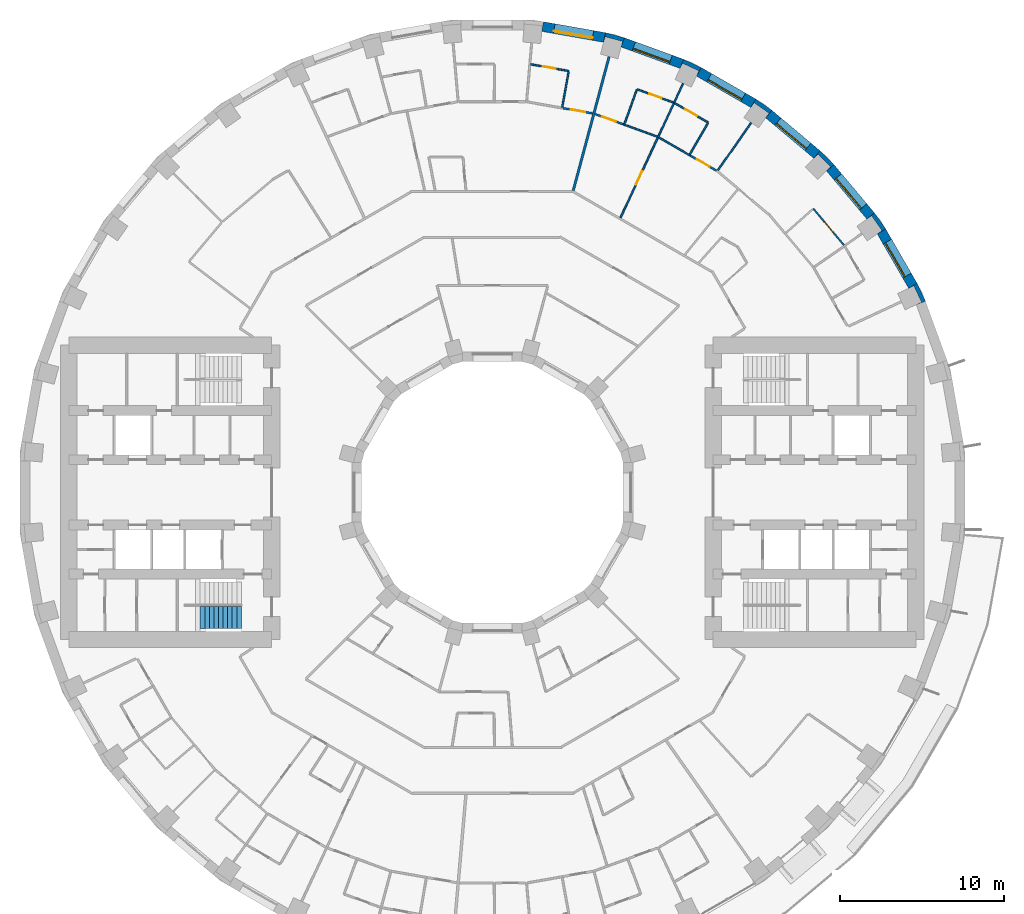
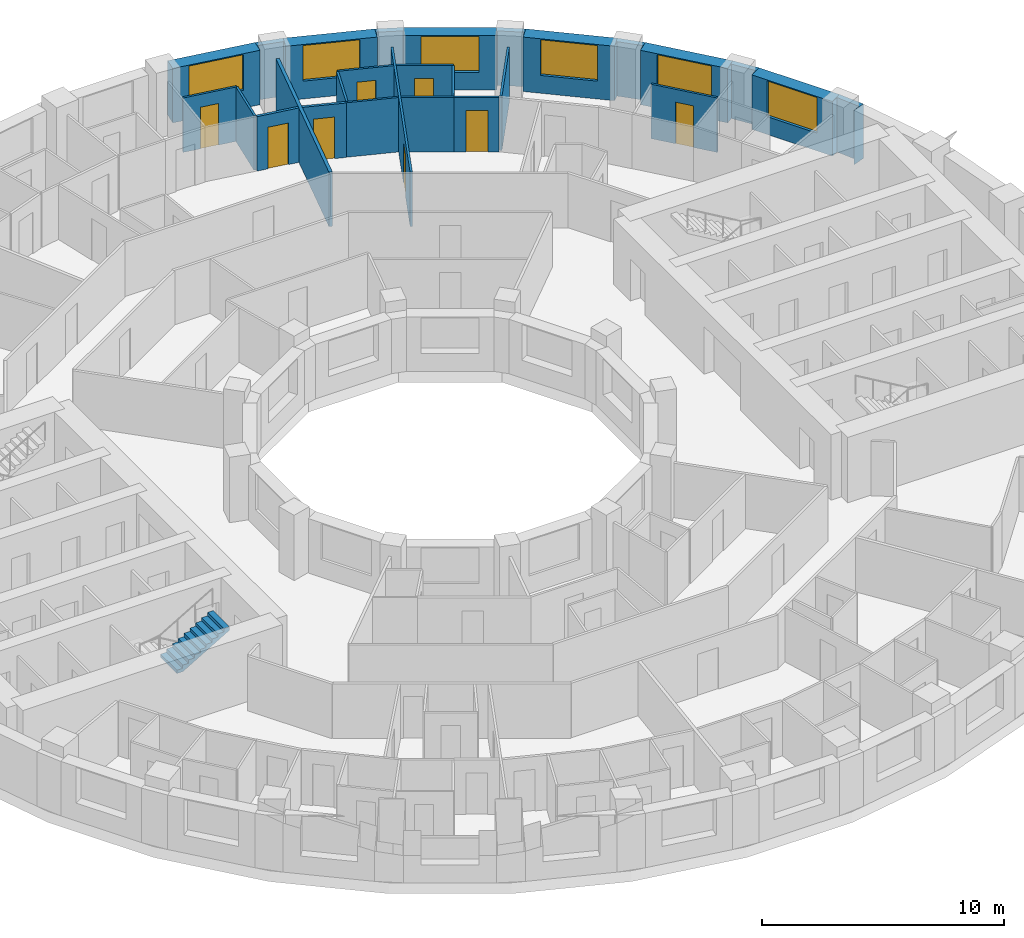
# One storey, part 13 of 15: 27 walls, 8 doors, 6 windows, 1 stair flight, 14 openings, 1 element without a shape of its own.
"""IFC4 building model written with IfcOpenShell, lengths in metres."""

from ifc_helpers import new_model, si_unit, direction, frame, frame_2d, origin, place, context, subcontext, project, spatial, polyline, rectangle, outline, extrude, material, layer, layer_set, type_object, element, fill, aggregate, save


model = new_model("IFC4")

# Units and contexts
model_context = context("Model", 3, precision=1e-05, world=origin(), true_north=direction((0.0, 1.0)))
body_context = subcontext(model_context, "Body", "Model", "MODEL_VIEW")
ifc_project = project(units=[si_unit("LENGTHUNIT", "METRE"), si_unit("AREAUNIT", "SQUARE_METRE"), si_unit("VOLUMEUNIT", "CUBIC_METRE"), si_unit("PLANEANGLEUNIT", "RADIAN"), si_unit("MASSUNIT", "GRAM", prefix="KILO")], contexts=[model_context])

# Site, building, storey
site_placement = place(None, origin())
site = spatial("IfcSite", under=ifc_project, at=site_placement, CompositionType="ELEMENT")
building_placement = place(site_placement, origin())
building = spatial("IfcBuilding", under=site, at=building_placement, Name="Saqina Gate Tower", CompositionType="ELEMENT")
storey_placement = place(building_placement, frame((0.0, 0.0, 42.800048828125)))
storey = spatial("IfcBuildingStorey", under=building, at=storey_placement, Name="L11", CompositionType="ELEMENT", Elevation=42.800048828125)

# Walls
ifc_material_1 = material(Name="Brick masonry (red)", Category="masonry")
wall_type_1 = type_object("IfcWallType", Name="BRICK PIER COPING RED", PredefinedType="SOLIDWALL", material=ifc_material_1)
wall_1_placement = place(storey_placement, origin())
element("IfcWall", 1, at=wall_1_placement, inside=storey, type_object=wall_type_1, Name="Pier cap L11 column 3", PredefinedType="SOLIDWALL", context=body_context, shape_type="SweptSolid", body=[
    extrude(outline(polyline([(25.980712890625, 12.779541015625), (25.4609375, 12.4794921875), (25.778564453125, 12.627685546875), (26.243408203125, 11.630615234375), (25.92578125, 11.482666015625), (26.48974609375, 11.687744140625), (25.980712890625, 12.779541015625)])), origin(), (0.0, 0.0, 1.0), 2.75),
])
wall_2_placement = place(storey_placement, origin())
element("IfcWall", 2, at=wall_2_placement, inside=storey, type_object=wall_type_1, Name="Pier cap L11 column 4", PredefinedType="SOLIDWALL", context=body_context, shape_type="SweptSolid", body=[
    extrude(outline(polyline([(24.0576171875, 16.110107421875), (23.36669921875, 17.096923828125), (22.9072265625, 16.711181640625), (23.194091796875, 16.912109375), (23.8251953125, 16.010986328125), (23.5380859375, 15.81005859375), (24.0576171875, 16.110107421875)])), origin(), (0.0, 0.0, 1.0), 2.75),
])
wall_3_placement = place(storey_placement, origin())
element("IfcWall", 3, at=wall_3_placement, inside=storey, type_object=wall_type_1, Name="Pier cap L11 column 5", PredefinedType="SOLIDWALL", context=body_context, shape_type="SweptSolid", body=[
    extrude(outline(polyline([(20.04296875, 20.894775390625), (19.6572265625, 20.43505859375), (19.905029296875, 20.682861328125), (20.682861328125, 19.905029296875), (20.43505859375, 19.6572265625), (20.894775390625, 20.04296875), (20.04296875, 20.894775390625)])), origin(), (0.0, 0.0, 1.0), 2.75),
])
wall_4_placement = place(storey_placement, origin())
element("IfcWall", 4, at=wall_4_placement, inside=storey, type_object=wall_type_1, Name="Pier cap L11 column 6", PredefinedType="SOLIDWALL", context=body_context, shape_type="SweptSolid", body=[
    extrude(outline(polyline([(17.096923828125, 23.36669921875), (16.110107421875, 24.0576171875), (15.81005859375, 23.5380859375), (16.010986328125, 23.8251953125), (16.912109375, 23.194091796875), (16.711181640625, 22.9072265625), (17.096923828125, 23.36669921875)])), origin(), (0.0, 0.0, 1.0), 2.75),
])
wall_5_placement = place(storey_placement, origin())
element("IfcWall", 5, at=wall_5_placement, inside=storey, type_object=wall_type_1, Name="Pier cap L11 column 7", PredefinedType="SOLIDWALL", context=body_context, shape_type="SweptSolid", body=[
    extrude(outline(polyline([(11.687744140625, 26.48974609375), (11.482666015625, 25.92578125), (11.630615234375, 26.243408203125), (12.627685546875, 25.778564453125), (12.4794921875, 25.4609375), (12.779541015625, 25.980712890625), (11.687744140625, 26.48974609375)])), origin(), (0.0, 0.0, 1.0), 2.75),
])
wall_6_placement = place(storey_placement, origin())
element("IfcWall", 6, at=wall_6_placement, inside=storey, type_object=wall_type_1, Name="Pier cap L11 column 8", PredefinedType="SOLIDWALL", context=body_context, shape_type="SweptSolid", body=[
    extrude(outline(polyline([(6.910400390625, 28.11669921875), (6.80615234375, 27.52587890625), (6.896728515625, 27.864501953125), (7.95947265625, 27.57958984375), (7.86865234375, 27.2412109375), (8.073974609375, 27.80517578125), (6.910400390625, 28.11669921875)])), origin(), (0.0, 0.0, 1.0), 2.75),
])

# Wall, opening, window
ifc_material_2 = material(Name="Brick masonry (red)", Category="masonry")
ifc_layer_1 = layer(ifc_material_2, 0.60009765625)
ifc_layer_set_1 = layer_set([ifc_layer_1], Name="FW-BRICK-RED")
wall_type_2 = type_object("IfcWallType", Name="FW-BRICK-RED", PredefinedType="SOLIDWALL", material=ifc_layer_set_1)
wall_7_placement = place(storey_placement, frame((25.720703125, 12.629638671875, 0.0), z_axis=(0.0, 0.0, 1.0), x_axis=(-0.499989888488, 0.86603124159, 0.0)))
wall_7 = element("IfcWall", 7, at=wall_7_placement, inside=storey, type_object=wall_type_2, Name="Facade wall L11 facet 3", PredefinedType="SOLIDWALL", context=body_context, shape_type="SweptSolid", body=[
    extrude(rectangle(XDim=3.845703125, YDim=0.60009765625, at=frame_2d((1.9228515625, 0.0))), origin(), (0.0, 0.0, 1.0), 2.75),
])
opening_1_placement = place(wall_7_placement, frame((0.722900390625, 0.0, 0.89990234375)))
opening_1 = element("IfcOpeningElement", 8, at=opening_1_placement, cuts=wall_7, Name="Opening G02-W01", PredefinedType="OPENING", context=body_context, shape_type="SweptSolid", body=[
    extrude(rectangle(XDim=2.39990234375, YDim=1.800048828125, at=frame_2d((1.199951171875, 0.89990234375))), frame((0.0, 0.31201171875, 0.0), z_axis=(0.0, -1.0, 0.0), x_axis=(1.0, 0.0, 0.0)), (0.0, 0.0, 1.0), 0.6240234375),
])
ifc_material_3 = material(Name="Aluminium glazing", Category="aluminium")
window_type = type_object("IfcWindowType", Name="WN-A", PartitioningType="SINGLE_PANEL", PredefinedType="WINDOW", material=ifc_material_3)
window_1_placement = place(opening_1_placement, origin())
window_1 = element("IfcWindow", 9, at=window_1_placement, inside=storey, type_object=window_type, Name="Window L11 facet 3", OverallHeight=1.800048828125, OverallWidth=2.39990234375, PartitioningType="SINGLE_PANEL", PredefinedType="WINDOW", context=body_context, shape_type="SweptSolid", body=[
    extrude(rectangle(XDim=2.39990234375, YDim=1.800048828125, at=frame_2d((1.199951171875, 0.89990234375))), frame((0.0, 0.179931640625, 0.0), z_axis=(0.0, -1.0, 0.0), x_axis=(1.0, 0.0, 0.0)), (0.0, 0.0, 1.0), 0.06005859375),
])
fill(opening_1, window_1)

wall_8_placement = place(storey_placement, frame((23.136962890625, 16.904052734375, 0.0), z_axis=(0.0, 0.0, 1.0), x_axis=(-0.642809392687, 0.766026164483, 0.0)))
wall_8 = element("IfcWall", 10, at=wall_8_placement, inside=storey, type_object=wall_type_2, Name="Facade wall L11 facet 4", PredefinedType="SOLIDWALL", context=body_context, shape_type="SweptSolid", body=[
    extrude(rectangle(XDim=3.845947265625, YDim=0.60009765625, at=frame_2d((1.9228515625, 0.0))), origin(), (0.0, 0.0, 1.0), 2.75),
])
opening_2_placement = place(wall_8_placement, frame((0.722900390625, 0.0, 0.89990234375)))
opening_2 = element("IfcOpeningElement", 11, at=opening_2_placement, cuts=wall_8, Name="Opening G02-W02", PredefinedType="OPENING", context=body_context, shape_type="SweptSolid", body=[
    extrude(rectangle(XDim=2.39990234375, YDim=1.800048828125, at=frame_2d((1.199951171875, 0.89990234375))), frame((0.0, 0.31201171875, 0.0), z_axis=(0.0, -1.0, 0.0), x_axis=(1.0, 0.0, 0.0)), (0.0, 0.0, 1.0), 0.6240234375),
])
window_2_placement = place(opening_2_placement, origin())
window_2 = element("IfcWindow", 12, at=window_2_placement, inside=storey, type_object=window_type, Name="Window L11 facet 4", OverallHeight=1.800048828125, OverallWidth=2.39990234375, PartitioningType="SINGLE_PANEL", PredefinedType="WINDOW", context=body_context, shape_type="SweptSolid", body=[
    extrude(rectangle(XDim=2.39990234375, YDim=1.800048828125, at=frame_2d((1.199951171875, 0.89990234375))), frame((0.0, 0.179931640625, 0.0), z_axis=(0.0, -1.0, 0.0), x_axis=(1.0, 0.0, 0.0)), (0.0, 0.0, 1.0), 0.06005859375),
])
fill(opening_2, window_2)

wall_9_placement = place(storey_placement, frame((19.85009765625, 20.664794921875, 0.0), z_axis=(0.0, 0.0, 1.0), x_axis=(-0.766026164483, 0.642809392687, 0.0)))
wall_9 = element("IfcWall", 13, at=wall_9_placement, inside=storey, type_object=wall_type_2, Name="Facade wall L11 facet 5", PredefinedType="SOLIDWALL", context=body_context, shape_type="SweptSolid", body=[
    extrude(rectangle(XDim=3.845947265625, YDim=0.60009765625, at=frame_2d((1.9228515625, 0.0))), origin(), (0.0, 0.0, 1.0), 2.75),
])
opening_3_placement = place(wall_9_placement, frame((0.722900390625, 0.0, 0.89990234375)))
opening_3 = element("IfcOpeningElement", 14, at=opening_3_placement, cuts=wall_9, Name="Opening G02-W03", PredefinedType="OPENING", context=body_context, shape_type="SweptSolid", body=[
    extrude(rectangle(XDim=2.39990234375, YDim=1.800048828125, at=frame_2d((1.199951171875, 0.89990234375))), frame((0.0, 0.31201171875, 0.0), z_axis=(0.0, -1.0, 0.0), x_axis=(1.0, 0.0, 0.0)), (0.0, 0.0, 1.0), 0.6240234375),
])
window_3_placement = place(opening_3_placement, origin())
window_3 = element("IfcWindow", 15, at=window_3_placement, inside=storey, type_object=window_type, Name="Window L11 facet 5", OverallHeight=1.800048828125, OverallWidth=2.39990234375, PartitioningType="SINGLE_PANEL", PredefinedType="WINDOW", context=body_context, shape_type="SweptSolid", body=[
    extrude(rectangle(XDim=2.39990234375, YDim=1.800048828125, at=frame_2d((1.199951171875, 0.89990234375))), frame((0.0, 0.179931640625, 0.0), z_axis=(0.0, -1.0, 0.0), x_axis=(1.0, 0.0, 0.0)), (0.0, 0.0, 1.0), 0.06005859375),
])
fill(opening_3, window_3)

wall_10_placement = place(storey_placement, frame((15.960205078125, 23.7978515625, 0.0), z_axis=(0.0, 0.0, 1.0), x_axis=(-0.86603124159, 0.499989888488, 0.0)))
wall_10 = element("IfcWall", 16, at=wall_10_placement, inside=storey, type_object=wall_type_2, Name="Facade wall L11 facet 6", PredefinedType="SOLIDWALL", context=body_context, shape_type="SweptSolid", body=[
    extrude(rectangle(XDim=3.845703125, YDim=0.60009765625, at=frame_2d((1.9228515625, 0.0))), origin(), (0.0, 0.0, 1.0), 2.75),
])
opening_4_placement = place(wall_10_placement, frame((0.722900390625, 0.0, 0.89990234375)))
opening_4 = element("IfcOpeningElement", 17, at=opening_4_placement, cuts=wall_10, Name="Opening G02-W04", PredefinedType="OPENING", context=body_context, shape_type="SweptSolid", body=[
    extrude(rectangle(XDim=2.39990234375, YDim=1.800048828125, at=frame_2d((1.199951171875, 0.89990234375))), frame((0.0, 0.31201171875, 0.0), z_axis=(0.0, -1.0, 0.0), x_axis=(1.0, 0.0, 0.0)), (0.0, 0.0, 1.0), 0.6240234375),
])
window_4_placement = place(opening_4_placement, origin())
window_4 = element("IfcWindow", 18, at=window_4_placement, inside=storey, type_object=window_type, Name="Window L11 facet 6", OverallHeight=1.800048828125, OverallWidth=2.39990234375, PartitioningType="SINGLE_PANEL", PredefinedType="WINDOW", context=body_context, shape_type="SweptSolid", body=[
    extrude(rectangle(XDim=2.39990234375, YDim=1.800048828125, at=frame_2d((1.199951171875, 0.89990234375))), frame((0.0, 0.179931640625, 0.0), z_axis=(0.0, -1.0, 0.0), x_axis=(1.0, 0.0, 0.0)), (0.0, 0.0, 1.0), 0.06005859375),
])
fill(opening_4, window_4)

wall_11_placement = place(storey_placement, frame((11.585205078125, 26.207763671875, 0.0), z_axis=(0.0, 0.0, 1.0), x_axis=(-0.939689588564, 0.342028474173, 0.0)))
wall_11 = element("IfcWall", 19, at=wall_11_placement, inside=storey, type_object=wall_type_2, Name="Facade wall L11 facet 7", PredefinedType="SOLIDWALL", context=body_context, shape_type="SweptSolid", body=[
    extrude(rectangle(XDim=3.845947265625, YDim=0.60009765625, at=frame_2d((1.9228515625, 0.0))), origin(), (0.0, 0.0, 1.0), 2.75),
])
opening_5_placement = place(wall_11_placement, frame((0.722900390625, 0.0, 0.89990234375)))
opening_5 = element("IfcOpeningElement", 20, at=opening_5_placement, cuts=wall_11, Name="Opening G02-W05", PredefinedType="OPENING", context=body_context, shape_type="SweptSolid", body=[
    extrude(rectangle(XDim=2.39990234375, YDim=1.800048828125, at=frame_2d((1.199951171875, 0.89990234375))), frame((0.0, 0.31201171875, 0.0), z_axis=(0.0, -1.0, 0.0), x_axis=(1.0, 0.0, 0.0)), (0.0, 0.0, 1.0), 0.6240234375),
])
window_5_placement = place(opening_5_placement, origin())
window_5 = element("IfcWindow", 21, at=window_5_placement, inside=storey, type_object=window_type, Name="Window L11 facet 7", OverallHeight=1.800048828125, OverallWidth=2.39990234375, PartitioningType="SINGLE_PANEL", PredefinedType="WINDOW", context=body_context, shape_type="SweptSolid", body=[
    extrude(rectangle(XDim=2.39990234375, YDim=1.800048828125, at=frame_2d((1.199951171875, 0.89990234375))), frame((0.0, 0.179931640625, 0.0), z_axis=(0.0, -1.0, 0.0), x_axis=(1.0, 0.0, 0.0)), (0.0, 0.0, 1.0), 0.06005859375),
])
fill(opening_5, window_5)

wall_12_placement = place(storey_placement, frame((6.858154296875, 27.8212890625, 0.0), z_axis=(0.0, 0.0, 1.0), x_axis=(-0.984800809218, 0.173687553279, 0.0)))
wall_12 = element("IfcWall", 22, at=wall_12_placement, inside=storey, type_object=wall_type_2, Name="Facade wall L11 facet 8", PredefinedType="SOLIDWALL", context=body_context, shape_type="SweptSolid", body=[
    extrude(rectangle(XDim=3.845703125, YDim=0.60009765625, at=frame_2d((1.9228515625, 0.0))), origin(), (0.0, 0.0, 1.0), 2.75),
])
opening_6_placement = place(wall_12_placement, frame((0.722900390625, 0.0, 0.89990234375)))
opening_6 = element("IfcOpeningElement", 23, at=opening_6_placement, cuts=wall_12, Name="Opening G02-W06", PredefinedType="OPENING", context=body_context, shape_type="SweptSolid", body=[
    extrude(rectangle(XDim=2.39990234375, YDim=1.800048828125, at=frame_2d((1.199951171875, 0.89990234375))), frame((0.0, 0.31201171875, 0.0), z_axis=(0.0, -1.0, 0.0), x_axis=(1.0, 0.0, 0.0)), (0.0, 0.0, 1.0), 0.6240234375),
])
window_6_placement = place(opening_6_placement, origin())
window_6 = element("IfcWindow", 24, at=window_6_placement, inside=storey, type_object=window_type, Name="Window L11 facet 8", OverallHeight=1.800048828125, OverallWidth=2.39990234375, PartitioningType="SINGLE_PANEL", PredefinedType="WINDOW", context=body_context, shape_type="SweptSolid", body=[
    extrude(rectangle(XDim=2.39990234375, YDim=1.800048828125, at=frame_2d((1.199951171875, 0.89990234375))), frame((0.0, 0.179931640625, 0.0), z_axis=(0.0, -1.0, 0.0), x_axis=(1.0, 0.0, 0.0)), (0.0, 0.0, 1.0), 0.06005859375),
])
fill(opening_6, window_6)

# Wall, opening, door
ifc_material_4 = material(Name="Gypsum board on steel studs, 100 mm", Category="steel")
ifc_layer_2 = layer(ifc_material_4, 0.10009765625)
ifc_layer_set_2 = layer_set([ifc_layer_2], Name="PARTITION 100")
wall_type_3 = type_object("IfcWallType", Name="PARTITION 100", PredefinedType="PARTITIONING", material=ifc_layer_set_2)
wall_13_placement = place(storey_placement, frame((19.62890625, 17.35107421875, 0.0), z_axis=(0.0, 0.0, 1.0), x_axis=(0.642701049916, -0.766117067057, 0.0)))
wall_13 = element("IfcWall", 25, at=wall_13_placement, inside=storey, type_object=wall_type_3, Name="PARTITION PW3-33", PredefinedType="PARTITIONING", context=body_context, shape_type="SweptSolid", body=[
    extrude(rectangle(XDim=2.915771484375, YDim=0.10009765625, at=frame_2d((1.4580078125, 0.0))), origin(), (0.0, 0.0, 1.0), 2.75),
])
opening_7_placement = place(wall_13_placement, frame((1.082763671875, 0.0, 0.0)))
opening_7 = element("IfcOpeningElement", 26, at=opening_7_placement, cuts=wall_13, Name="Opening G02-D04", PredefinedType="OPENING", context=body_context, shape_type="SweptSolid", body=[
    extrude(rectangle(XDim=0.800048828125, YDim=2.10009765625, at=frame_2d((0.39990234375, 1.050048828125))), frame((0.0, 0.06201171875, 0.0), z_axis=(0.0, -1.0, 0.0), x_axis=(1.0, 0.0, 0.0)), (0.0, 0.0, 1.0), 0.1240234375),
])
ifc_material_5 = material(Name="Timber door leaf, 800 mm", Category="wood")
door_type_1 = type_object("IfcDoorType", Name="DOOR 800 TIMBER", OperationType="SINGLE_SWING_LEFT", PredefinedType="DOOR", material=ifc_material_5)
door_1_placement = place(opening_7_placement, origin())
door_1 = element("IfcDoor", 27, at=door_1_placement, inside=storey, type_object=door_type_1, Name="DOOR G02-D04", OperationType="SINGLE_SWING_RIGHT", OverallHeight=2.10009765625, OverallWidth=0.800048828125, PredefinedType="DOOR", context=body_context, shape_type="SweptSolid", body=[
    extrude(rectangle(XDim=0.800048828125, YDim=2.10009765625, at=frame_2d((0.39990234375, 1.050048828125))), frame((0.0, 0.02490234375, 0.0), z_axis=(0.0, -1.0, 0.0), x_axis=(1.0, 0.0, 0.0)), (0.0, 0.0, 1.0), 0.050048828125),
])
fill(opening_7, door_1)

# Wall
wall_14_placement = place(storey_placement, frame((10.17822265625, 21.708984375, 0.0), z_axis=(0.0, 0.0, 1.0), x_axis=(0.865986508459, -0.50006736263, 0.0)))
element("IfcWall", 28, at=wall_14_placement, inside=storey, type_object=wall_type_3, Name="PARTITION PW3-47", PredefinedType="PARTITIONING", context=body_context, shape_type="SweptSolid", body=[
    extrude(rectangle(XDim=2.205810546875, YDim=0.10009765625, at=frame_2d((1.10302734375, 0.0))), origin(), (0.0, 0.0, 1.0), 2.75),
])

# Wall, opening, door
wall_15_placement = place(storey_placement, frame((11.154296875, 23.802001953125, 0.0), z_axis=(0.0, 0.0, 1.0), x_axis=(0.865910737143, -0.500198555877, 0.0)))
wall_15 = element("IfcWall", 29, at=wall_15_placement, inside=storey, type_object=wall_type_3, Name="PARTITION PW3-48", PredefinedType="PARTITIONING", context=body_context, shape_type="SweptSolid", body=[
    extrude(rectangle(XDim=2.3671875, YDim=0.10009765625, at=frame_2d((1.18359375, 0.0))), origin(), (0.0, 0.0, 1.0), 2.75),
])
opening_8_placement = place(wall_15_placement, frame((0.758544921875, 0.0, 0.0)))
opening_8 = element("IfcOpeningElement", 30, at=opening_8_placement, cuts=wall_15, Name="Opening G02-D11", PredefinedType="OPENING", context=body_context, shape_type="SweptSolid", body=[
    extrude(rectangle(XDim=0.800048828125, YDim=2.10009765625, at=frame_2d((0.39990234375, 1.050048828125))), frame((0.0, 0.06201171875, 0.0), z_axis=(0.0, -1.0, 0.0), x_axis=(1.0, 0.0, 0.0)), (0.0, 0.0, 1.0), 0.1240234375),
])
door_2_placement = place(opening_8_placement, origin())
door_2 = element("IfcDoor", 31, at=door_2_placement, inside=storey, type_object=door_type_1, Name="DOOR G02-D11", OperationType="SINGLE_SWING_LEFT", OverallHeight=2.10009765625, OverallWidth=0.800048828125, PredefinedType="DOOR", context=body_context, shape_type="SweptSolid", body=[
    extrude(rectangle(XDim=0.800048828125, YDim=2.10009765625, at=frame_2d((0.39990234375, 1.050048828125))), frame((0.0, 0.02490234375, 0.0), z_axis=(0.0, -1.0, 0.0), x_axis=(1.0, 0.0, 0.0)), (0.0, 0.0, 1.0), 0.050048828125),
])
fill(opening_8, door_2)

# Wall
wall_16_placement = place(storey_placement, frame((8.014892578125, 22.505126953125, 0.0), z_axis=(0.0, 0.0, 1.0), x_axis=(0.939744943051, -0.341876354856, 0.0)))
element("IfcWall", 32, at=wall_16_placement, inside=storey, type_object=wall_type_3, Name="PARTITION PW3-51", PredefinedType="PARTITIONING", context=body_context, shape_type="SweptSolid", body=[
    extrude(rectangle(XDim=2.205810546875, YDim=0.10009765625, at=frame_2d((1.10302734375, 0.0))), origin(), (0.0, 0.0, 1.0), 2.75),
])

# Wall, opening, door
wall_17_placement = place(storey_placement, frame((8.839111328125, 24.653076171875, 0.0), z_axis=(0.0, 0.0, 1.0), x_axis=(0.939787401385, -0.341759623416, 0.0)))
wall_17 = element("IfcWall", 33, at=wall_17_placement, inside=storey, type_object=wall_type_3, Name="PARTITION PW3-52", PredefinedType="PARTITIONING", context=body_context, shape_type="SweptSolid", body=[
    extrude(rectangle(XDim=2.367431640625, YDim=0.10009765625, at=frame_2d((1.18359375, 0.0))), origin(), (0.0, 0.0, 1.0), 2.75),
])
opening_9_placement = place(wall_17_placement, frame((0.80859375, 0.0, 0.0)))
opening_9 = element("IfcOpeningElement", 34, at=opening_9_placement, cuts=wall_17, Name="Opening G02-D13", PredefinedType="OPENING", context=body_context, shape_type="SweptSolid", body=[
    extrude(rectangle(XDim=0.800048828125, YDim=2.10009765625, at=frame_2d((0.39990234375, 1.050048828125))), frame((0.0, 0.06201171875, 0.0), z_axis=(0.0, -1.0, 0.0), x_axis=(1.0, 0.0, 0.0)), (0.0, 0.0, 1.0), 0.1240234375),
])
door_3_placement = place(opening_9_placement, origin())
door_3 = element("IfcDoor", 35, at=door_3_placement, inside=storey, type_object=door_type_1, Name="DOOR G02-D13", OperationType="SINGLE_SWING_RIGHT", OverallHeight=2.10009765625, OverallWidth=0.800048828125, PredefinedType="DOOR", context=body_context, shape_type="SweptSolid", body=[
    extrude(rectangle(XDim=0.800048828125, YDim=2.10009765625, at=frame_2d((0.39990234375, 1.050048828125))), frame((0.0, 0.02490234375, 0.0), z_axis=(0.0, -1.0, 0.0), x_axis=(1.0, 0.0, 0.0)), (0.0, 0.0, 1.0), 0.050048828125),
])
fill(opening_9, door_3)

wall_18_placement = place(storey_placement, frame((2.34033203125, 26.181396484375, 0.0), z_axis=(0.0, 0.0, 1.0), x_axis=(0.984791861756, -0.173738277359, 0.0)))
wall_18 = element("IfcWall", 36, at=wall_18_placement, inside=storey, type_object=wall_type_3, Name="PARTITION PW3-56", PredefinedType="PARTITIONING", context=body_context, shape_type="SweptSolid", body=[
    extrude(rectangle(XDim=2.36767578125, YDim=0.10009765625, at=frame_2d((1.183837890625, 0.0))), origin(), (0.0, 0.0, 1.0), 2.75),
])
opening_10_placement = place(wall_18_placement, frame((0.7587890625, 0.0, 0.0)))
opening_10 = element("IfcOpeningElement", 37, at=opening_10_placement, cuts=wall_18, Name="Opening G02-D16", PredefinedType="OPENING", context=body_context, shape_type="SweptSolid", body=[
    extrude(rectangle(XDim=0.800048828125, YDim=2.10009765625, at=frame_2d((0.39990234375, 1.050048828125))), frame((0.0, 0.06201171875, 0.0), z_axis=(0.0, -1.0, 0.0), x_axis=(1.0, 0.0, 0.0)), (0.0, 0.0, 1.0), 0.1240234375),
])
door_4_placement = place(opening_10_placement, origin())
door_4 = element("IfcDoor", 38, at=door_4_placement, inside=storey, type_object=door_type_1, Name="DOOR G02-D16", OperationType="SINGLE_SWING_LEFT", OverallHeight=2.10009765625, OverallWidth=0.800048828125, PredefinedType="DOOR", context=body_context, shape_type="SweptSolid", body=[
    extrude(rectangle(XDim=0.800048828125, YDim=2.10009765625, at=frame_2d((0.39990234375, 1.050048828125))), frame((0.0, 0.02490234375, 0.0), z_axis=(0.0, -1.0, 0.0), x_axis=(1.0, 0.0, 0.0)), (0.0, 0.0, 1.0), 0.050048828125),
])
fill(opening_10, door_4)

# Walls
wall_19_placement = place(storey_placement, frame((13.790771484375, 19.6953125, 0.0), z_axis=(0.0, 0.0, 1.0), x_axis=(0.573554740156, 0.8191672357, 0.0)))
element("IfcWall", 39, at=wall_19_placement, inside=storey, type_object=wall_type_3, Name="PARTITION PW3-98", PredefinedType="PARTITIONING", context=body_context, shape_type="SweptSolid", body=[
    extrude(rectangle(XDim=3.546630859375, YDim=0.10009765625, at=frame_2d((1.7734375, 0.0))), origin(), (0.0, 0.0, 1.0), 2.75),
])
wall_20_placement = place(storey_placement, frame((12.076416015625, 20.68505859375, 0.0), z_axis=(0.0, 0.0, 1.0), x_axis=(0.503871025524, 0.863778900898, 0.0)))
element("IfcWall", 40, at=wall_20_placement, inside=storey, type_object=wall_type_3, Name="PARTITION PW3-100", PredefinedType="PARTITIONING", context=body_context, shape_type="SweptSolid", body=[
    extrude(rectangle(XDim=2.187744140625, YDim=0.10009765625, at=frame_2d((1.09375, 0.0))), origin(), (0.0, 0.0, 1.0), 2.75),
])

# Wall, opening, door
wall_21_placement = place(storey_placement, frame((7.834716796875, 16.795654296875, 0.0), z_axis=(0.0, 0.0, 1.0), x_axis=(0.422351185038, 0.906432279046, 0.0)))
wall_21 = element("IfcWall", 41, at=wall_21_placement, inside=storey, type_object=wall_type_3, Name="PARTITION PW3-103", PredefinedType="PARTITIONING", context=body_context, shape_type="SweptSolid", body=[
    extrude(rectangle(XDim=9.056884765625, YDim=0.10009765625, at=frame_2d((4.5283203125, 0.0))), origin(), (0.0, 0.0, 1.0), 2.75),
])
opening_11_placement = place(wall_21_placement, frame((2.24267578125, 0.0, 0.0)))
opening_11 = element("IfcOpeningElement", 42, at=opening_11_placement, cuts=wall_21, Name="Opening G02-D12", PredefinedType="OPENING", context=body_context, shape_type="SweptSolid", body=[
    extrude(rectangle(XDim=0.89990234375, YDim=2.10009765625, at=frame_2d((0.449951171875, 1.050048828125))), frame((0.0, 0.06201171875, 0.0), z_axis=(0.0, -1.0, 0.0), x_axis=(1.0, 0.0, 0.0)), (0.0, 0.0, 1.0), 0.1240234375),
])
ifc_material_6 = material(Name="Timber door leaf, 900 mm", Category="wood")
door_type_2 = type_object("IfcDoorType", Name="DOOR 900 TIMBER", OperationType="SINGLE_SWING_LEFT", PredefinedType="DOOR", material=ifc_material_6)
door_5_placement = place(opening_11_placement, frame((0.89990234375, 0.0, 0.0), z_axis=(0.0, 0.0, 1.0), x_axis=(-1.0, 0.0, 0.0)))
door_5 = element("IfcDoor", 43, at=door_5_placement, inside=storey, type_object=door_type_2, Name="DOOR G02-D12", OperationType="SINGLE_SWING_RIGHT", OverallHeight=2.10009765625, OverallWidth=0.89990234375, PredefinedType="DOOR", context=body_context, shape_type="SweptSolid", body=[
    extrude(rectangle(XDim=0.89990234375, YDim=2.10009765625, at=frame_2d((0.449951171875, 1.050048828125))), frame((0.0, 0.02490234375, 0.0), z_axis=(0.0, -1.0, 0.0), x_axis=(1.0, 0.0, 0.0)), (0.0, 0.0, 1.0), 0.050048828125),
])
fill(opening_11, door_5)

# Walls
wall_22_placement = place(storey_placement, frame((8.0830078125, 22.546875, 0.0), z_axis=(0.0, 0.0, 1.0), x_axis=(0.337806451735, 0.9412155976, 0.0)))
element("IfcWall", 44, at=wall_22_placement, inside=storey, type_object=wall_type_3, Name="PARTITION PW3-106", PredefinedType="PARTITIONING", context=body_context, shape_type="SweptSolid", body=[
    extrude(rectangle(XDim=2.187744140625, YDim=0.10009765625, at=frame_2d((1.09375, 0.0))), origin(), (0.0, 0.0, 1.0), 2.75),
])
wall_23_placement = place(storey_placement, frame((4.27099609375, 23.55615234375, 0.0), z_axis=(0.0, 0.0, 1.0), x_axis=(0.178240802931, 0.983986898373, 0.0)))
element("IfcWall", 45, at=wall_23_placement, inside=storey, type_object=wall_type_3, Name="PARTITION PW3-109", PredefinedType="PARTITIONING", context=body_context, shape_type="SweptSolid", body=[
    extrude(rectangle(XDim=2.19970703125, YDim=0.10009765625, at=frame_2d((1.099853515625, 0.0))), origin(), (0.0, 0.0, 1.0), 2.75),
])

# Wall, opening, door
ifc_material_7 = material(Name="Gypsum board on steel studs, 125 mm, fire rated", Category="steel")
ifc_layer_3 = layer(ifc_material_7, 0.125)
ifc_layer_set_3 = layer_set([ifc_layer_3], Name="PARTITION EI 30 125")
wall_type_4 = type_object("IfcWallType", Name="PARTITION EI 30 125", PredefinedType="PARTITIONING", material=ifc_layer_set_3)
wall_24_placement = place(storey_placement, frame((12.08837890625, 20.60595703125, 0.0), z_axis=(0.0, 0.0, 1.0), x_axis=(0.866104801807, -0.499862453367, 0.0)))
wall_24 = element("IfcWall", 46, at=wall_24_placement, inside=storey, type_object=wall_type_4, Name="PARTITION PW1-21", PredefinedType="PARTITIONING", context=body_context, shape_type="SweptSolid", body=[
    extrude(rectangle(XDim=1.86181640625, YDim=0.125, at=frame_2d((0.930908203125, 0.0))), origin(), (0.0, 0.0, 1.0), 2.75),
])
opening_12_placement = place(wall_24_placement, frame((0.4873046875, 0.0, 0.0)))
opening_12 = element("IfcOpeningElement", 47, at=opening_12_placement, cuts=wall_24, Name="Opening G02-D08", PredefinedType="OPENING", context=body_context, shape_type="SweptSolid", body=[
    extrude(rectangle(XDim=0.89990234375, YDim=2.10009765625, at=frame_2d((0.449951171875, 1.050048828125))), frame((0.0, 0.074462890625, 0.0), z_axis=(0.0, -1.0, 0.0), x_axis=(1.0, 0.0, 0.0)), (0.0, 0.0, 1.0), 0.14892578125),
])
ifc_material_8 = material(Name="Fire door leaf EI 30, 900 mm")
door_type_3 = type_object("IfcDoorType", Name="DOOR 900 EI 30", OperationType="SINGLE_SWING_LEFT", PredefinedType="DOOR", material=ifc_material_8)
door_6_placement = place(opening_12_placement, frame((0.89990234375, 0.0, 0.0), z_axis=(0.0, 0.0, 1.0), x_axis=(-1.0, 0.0, 0.0)))
door_6 = element("IfcDoor", 48, at=door_6_placement, inside=storey, type_object=door_type_3, Name="DOOR G02-D08", OperationType="SINGLE_SWING_LEFT", OverallHeight=2.10009765625, OverallWidth=0.89990234375, PredefinedType="DOOR", context=body_context, shape_type="SweptSolid", body=[
    extrude(rectangle(XDim=0.89990234375, YDim=2.10009765625, at=frame_2d((0.449951171875, 1.050048828125))), frame((0.0, 0.02490234375, 0.0), z_axis=(0.0, -1.0, 0.0), x_axis=(1.0, 0.0, 0.0)), (0.0, 0.0, 1.0), 0.050048828125),
])
fill(opening_12, door_6)

wall_25_placement = place(storey_placement, frame((6.277587890625, 23.138427734375, 0.0), z_axis=(0.0, 0.0, 1.0), x_axis=(0.939538772486, -0.34244254262, 0.0)))
wall_25 = element("IfcWall", 49, at=wall_25_placement, inside=storey, type_object=wall_type_4, Name="PARTITION PW1-23", PredefinedType="PARTITIONING", context=body_context, shape_type="SweptSolid", body=[
    extrude(rectangle(XDim=1.849365234375, YDim=0.125, at=frame_2d((0.9248046875, 0.0))), origin(), (0.0, 0.0, 1.0), 2.75),
])
opening_13_placement = place(wall_25_placement, frame((0.462158203125, 0.0, 0.0)))
opening_13 = element("IfcOpeningElement", 50, at=opening_13_placement, cuts=wall_25, Name="Opening G02-D14", PredefinedType="OPENING", context=body_context, shape_type="SweptSolid", body=[
    extrude(rectangle(XDim=0.89990234375, YDim=2.10009765625, at=frame_2d((0.449951171875, 1.050048828125))), frame((0.0, 0.074462890625, 0.0), z_axis=(0.0, -1.0, 0.0), x_axis=(1.0, 0.0, 0.0)), (0.0, 0.0, 1.0), 0.14892578125),
])
door_7_placement = place(opening_13_placement, frame((0.89990234375, 0.0, 0.0), z_axis=(0.0, 0.0, 1.0), x_axis=(-1.0, 0.0, 0.0)))
door_7 = element("IfcDoor", 51, at=door_7_placement, inside=storey, type_object=door_type_3, Name="DOOR G02-D14", OperationType="SINGLE_SWING_RIGHT", OverallHeight=2.10009765625, OverallWidth=0.89990234375, PredefinedType="DOOR", context=body_context, shape_type="SweptSolid", body=[
    extrude(rectangle(XDim=0.89990234375, YDim=2.10009765625, at=frame_2d((0.449951171875, 1.050048828125))), frame((0.0, 0.02490234375, 0.0), z_axis=(0.0, -1.0, 0.0), x_axis=(1.0, 0.0, 0.0)), (0.0, 0.0, 1.0), 0.050048828125),
])
fill(opening_13, door_7)

wall_26_placement = place(storey_placement, frame((4.311279296875, 23.498291015625, 0.0), z_axis=(0.0, 0.0, 1.0), x_axis=(0.984802153769, -0.173679929558, 0.0)))
wall_26 = element("IfcWall", 52, at=wall_26_placement, inside=storey, type_object=wall_type_4, Name="PARTITION PW1-25", PredefinedType="PARTITIONING", context=body_context, shape_type="SweptSolid", body=[
    extrude(rectangle(XDim=1.849853515625, YDim=0.125, at=frame_2d((0.9248046875, 0.0))), origin(), (0.0, 0.0, 1.0), 2.75),
])
opening_14_placement = place(wall_26_placement, frame((0.487548828125, 0.0, 0.0)))
opening_14 = element("IfcOpeningElement", 53, at=opening_14_placement, cuts=wall_26, Name="Opening G02-D15", PredefinedType="OPENING", context=body_context, shape_type="SweptSolid", body=[
    extrude(rectangle(XDim=0.89990234375, YDim=2.10009765625, at=frame_2d((0.449951171875, 1.050048828125))), frame((0.0, 0.074462890625, 0.0), z_axis=(0.0, -1.0, 0.0), x_axis=(1.0, 0.0, 0.0)), (0.0, 0.0, 1.0), 0.14892578125),
])
door_8_placement = place(opening_14_placement, frame((0.89990234375, 0.0, 0.0), z_axis=(0.0, 0.0, 1.0), x_axis=(-1.0, 0.0, 0.0)))
door_8 = element("IfcDoor", 54, at=door_8_placement, inside=storey, type_object=door_type_3, Name="DOOR G02-D15", OperationType="SINGLE_SWING_LEFT", OverallHeight=2.10009765625, OverallWidth=0.89990234375, PredefinedType="DOOR", context=body_context, shape_type="SweptSolid", body=[
    extrude(rectangle(XDim=0.89990234375, YDim=2.10009765625, at=frame_2d((0.449951171875, 1.050048828125))), frame((0.0, 0.02490234375, 0.0), z_axis=(0.0, -1.0, 0.0), x_axis=(1.0, 0.0, 0.0)), (0.0, 0.0, 1.0), 0.050048828125),
])
fill(opening_14, door_8)

# Wall
ifc_material_9 = material(Name="Gypsum board on steel studs, 150 mm, fire rated", Category="steel")
ifc_layer_4 = layer(ifc_material_9, 0.14990234375)
ifc_layer_set_4 = layer_set([ifc_layer_4], Name="PARTITION EI 60 150")
wall_type_5 = type_object("IfcWallType", Name="PARTITION EI 60 150", PredefinedType="PARTITIONING", material=ifc_layer_set_4)
wall_27_placement = place(storey_placement, frame((4.946533203125, 18.460205078125, 0.0), z_axis=(0.0, 0.0, 1.0), x_axis=(0.258782623342, 0.965935584734, 0.0)))
element("IfcWall", 55, at=wall_27_placement, inside=storey, type_object=wall_type_5, Name="PARTITION PW2-03", PredefinedType="PARTITIONING", context=body_context, shape_type="SweptSolid", body=[
    extrude(rectangle(XDim=8.478515625, YDim=0.14990234375, at=frame_2d((4.2392578125, 0.0))), origin(), (0.0, 0.0, 1.0), 2.75),
])

# Stair, stair flight
ifc_material_10 = material(Name="Concrete C40/50", Category="concrete")
stair_type = type_object("IfcStairType", Name="EXIT STAIR", PredefinedType="HALF_TURN_STAIR", material=ifc_material_10)
stair_placement = place(storey_placement, origin())
stair = element("IfcStair", 56, at=stair_placement, inside=storey, type_object=stair_type, Name="EXIT STAIR 4", PredefinedType="HALF_TURN_STAIR")
ifc_material_11 = material(Name="Concrete C40/50", Category="concrete")
stair_flight_type = type_object("IfcStairFlightType", Name="EXIT STAIR FLIGHT", PredefinedType="STRAIGHT", material=ifc_material_11)
stair_flight_placement = place(storey_placement, frame((-17.8701171875, -7.658447265625, 1.64990234375), z_axis=(0.0, 0.0, 1.0), x_axis=(1.0, 0.0, 0.0)))
stair_flight = element("IfcStairFlight", 57, at=stair_flight_placement, type_object=stair_flight_type, Name="EXIT STAIR 4 FLIGHT 2", NumberOfRisers=10, NumberOfTreads=9, PredefinedType="STRAIGHT", RiserHeight=0.165, TreadLength=0.28, context=body_context, shape_type="SweptSolid", body=[
    extrude(outline(polyline([(0.0, 0.0), (0.0, 0.1650390625), (0.280029296875, 0.1650390625), (0.280029296875, 0.330078125), (0.56005859375, 0.330078125), (0.56005859375, 0.4951171875), (0.840087890625, 0.4951171875), (0.840087890625, 0.659912109375), (1.1201171875, 0.659912109375), (1.1201171875, 0.824951171875), (1.39990234375, 0.824951171875), (1.39990234375, 0.989990234375), (1.679931640625, 0.989990234375), (1.679931640625, 1.155029296875), (1.9599609375, 1.155029296875), (1.9599609375, 1.320068359375), (2.239990234375, 1.320068359375), (2.239990234375, 1.485107421875), (2.52001953125, 1.485107421875), (2.52001953125, 1.64990234375), (2.52001953125, 1.31103515625), (0.295166015625, 0.0), (0.0, 0.0)])), frame((0.0, 0.675048828125, 0.0), z_axis=(0.0, -1.0, 0.0), x_axis=(1.0, 0.0, 0.0)), (0.0, 0.0, 1.0), 1.35009765625),
])
aggregate(stair, [stair_flight])

save(model, "model.ifc")
